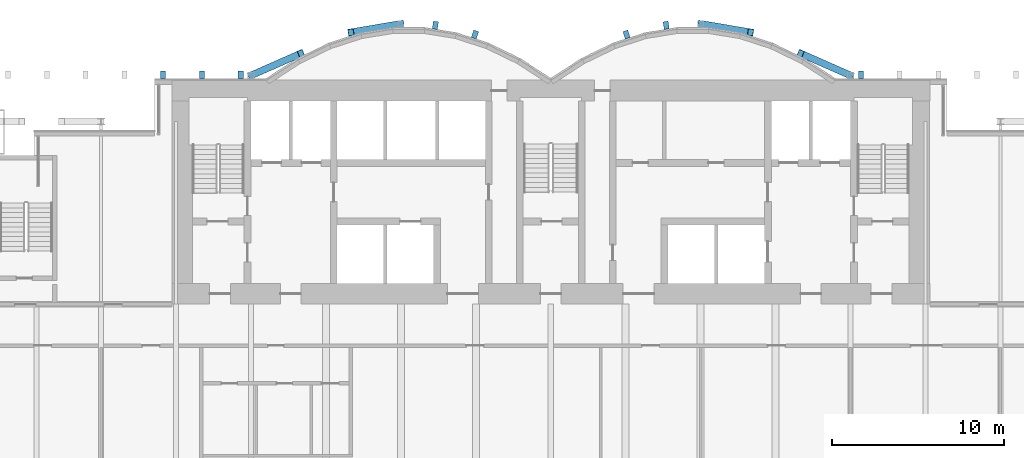
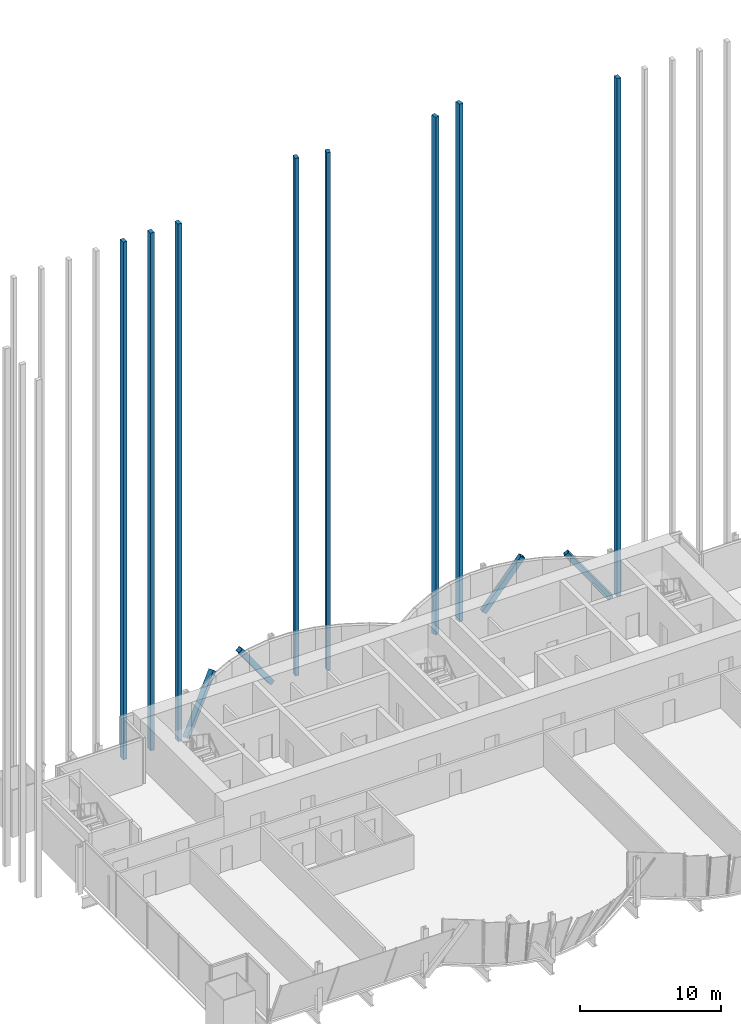
# One storey, part 19 of 33: 12 members, 6 elements without a shape of their own.
"""IFC4 building model written with IfcOpenShell, lengths in metres."""

from ifc_helpers import new_model, si_unit, direction, frame, origin, origin_2d, place, context, subcontext, project, spatial, rectangle, hollow_rectangle, extrude, material, material_profile, profile_set, type_object, element, aggregate, save


model = new_model("IFC4")

# Units and contexts
model_context = context("Model", 3, precision=1e-05, world=origin(), true_north=direction((0.0, 1.0)))
body_context = subcontext(model_context, "Body", "Model", "MODEL_VIEW")
ifc_project = project(units=[si_unit("LENGTHUNIT", "METRE"), si_unit("AREAUNIT", "SQUARE_METRE"), si_unit("VOLUMEUNIT", "CUBIC_METRE"), si_unit("PLANEANGLEUNIT", "RADIAN"), si_unit("MASSUNIT", "GRAM", prefix="KILO")], contexts=[model_context])

# Site, building, storey
site_placement = place(None, origin())
site = spatial("IfcSite", under=ifc_project, at=site_placement, CompositionType="ELEMENT")
building_placement = place(site_placement, origin())
building = spatial("IfcBuilding", under=site, at=building_placement, Name="Bicima Exchange Tower", CompositionType="ELEMENT")
storey_placement = place(building_placement, frame((0.0, 0.0, 140.39990234375)))
storey = spatial("IfcBuildingStorey", under=building, at=storey_placement, Name="L30", CompositionType="ELEMENT", Elevation=140.39990234375)

# Members
ifc_material_1 = material(Name="Steel ASTM A572 Gr 50", Category="steel")
ifc_material_profile_1 = material_profile(ifc_material_1, hollow_rectangle(XDim=0.406494140625, YDim=0.406494140625, WallThickness=0.017822265625, at=origin_2d()))
ifc_profile_set_1 = profile_set([ifc_material_profile_1], Name="Steel ASTM A572 Gr 50")
member_type_1 = type_object("IfcMemberType", Name="Mega brace HSS16x16x3/4", PredefinedType="BRACE", material=ifc_profile_set_1)
member_1_placement = place(storey_placement, frame((-17.39990234375, 0.278076171875, 0.0), z_axis=(0.559604503225, 0.246634919547, 0.79121047543), x_axis=(-0.403298774981, 0.915068357063, 0.0)))
element("IfcMember", 1, at=member_1_placement, inside=storey, type_object=member_type_1, Name="Mega brace rexo", PredefinedType="BRACE", context=body_context, shape_type="SweptSolid", body=[
    extrude(hollow_rectangle(XDim=0.406494140625, YDim=0.406494140625, WallThickness=0.017822265625, at=origin_2d()), origin(), (0.0, 0.0, 1.0), 5.18212890625),
])
for number, where, z_axis, x_axis, name in (
    (2, (-8.699951171875, 3.26904296875, 0.0), (-0.574791624013, -0.0962905406, 0.812614743132), (0.165220206918, -0.9862567025, 0.0), "Mega brace rexo"),
    (3, (8.699951171875, 3.26904296875, 0.0), (0.574791624013, -0.0962905406, 0.812614743132), (0.165220206918, 0.9862567025, 0.0), "Mega brace rexo"),
):
    element("IfcMember", number, at=place(storey_placement, frame(where, z_axis=z_axis, x_axis=x_axis)), inside=storey, type_object=member_type_1, Name=name, PredefinedType="BRACE", context=body_context, shape_type="SweptSolid", body=[
        extrude(hollow_rectangle(XDim=0.406494140625, YDim=0.406494140625, WallThickness=0.017822265625, at=origin_2d()), origin(), (0.0, 0.0, 1.0), 5.045654296875),
    ])
member_2_placement = place(storey_placement, frame((17.39990234375, 0.278076171875, 0.0), z_axis=(-0.559604503225, 0.246634919547, 0.79121047543), x_axis=(-0.403298774981, -0.915068357063, 0.0)))
element("IfcMember", 4, at=member_2_placement, inside=storey, type_object=member_type_1, Name="Mega brace rexo", PredefinedType="BRACE", context=body_context, shape_type="SweptSolid", body=[
    extrude(hollow_rectangle(XDim=0.406494140625, YDim=0.406494140625, WallThickness=0.017822265625, at=origin_2d()), origin(), (0.0, 0.0, 1.0), 5.18212890625),
])

# Curtain wall, members
ifc_material_2 = material(Name="Anodised bronze aluminium", Category="aluminium")
curtain_wall_type = type_object("IfcCurtainWallType", Name="Rear blade screen", PredefinedType="NOTDEFINED", material=ifc_material_2)
curtain_wall_1_placement = place(storey_placement, origin())
curtain_wall_1 = element("IfcCurtainWall", 5, at=curtain_wall_1_placement, inside=storey, type_object=curtain_wall_type, Name="Rear blade screen L30-L40 W", PredefinedType="NOTDEFINED")
ifc_material_profile_2 = material_profile(ifc_material_2, rectangle(XDim=0.449951171875, YDim=0.300048828125, at=origin_2d()))
ifc_profile_set_2 = profile_set([ifc_material_profile_2], Name="Anodised bronze aluminium")
member_type_2 = type_object("IfcMemberType", Name="Rear blade fin 450 x 300", PredefinedType="USERDEFINED", material=ifc_profile_set_2)
member_3_placement = place(storey_placement, frame((-22.5, 0.324951171875, 0.0), z_axis=(0.0, 0.0, 1.0), x_axis=(0.0, 1.0, 0.0)))
member_3 = element("IfcMember", 6, at=member_3_placement, type_object=member_type_2, Name="Rear blade fin L30-L40 6", ObjectType="FIN", PredefinedType="USERDEFINED", context=body_context, shape_type="SweptSolid", body=[
    extrude(rectangle(XDim=0.449951171875, YDim=0.300048828125, at=origin_2d()), origin(), (0.0, 0.0, 1.0), 44.900146484375),
])
member_4_placement = place(storey_placement, frame((-20.25, 0.324951171875, 0.0), z_axis=(0.0, 0.0, 1.0), x_axis=(0.0, 1.0, 0.0)))
member_4 = element("IfcMember", 7, at=member_4_placement, type_object=member_type_2, Name="Rear blade fin L30-L40 7", ObjectType="FIN", PredefinedType="USERDEFINED", context=body_context, shape_type="SweptSolid", body=[
    extrude(rectangle(XDim=0.449951171875, YDim=0.300048828125, at=origin_2d()), origin(), (0.0, 0.0, 1.0), 44.900146484375),
])
member_5_placement = place(storey_placement, frame((-18.0, 0.324951171875, 0.0), z_axis=(0.0, 0.0, 1.0), x_axis=(0.0, 1.0, 0.0)))
member_5 = element("IfcMember", 8, at=member_5_placement, type_object=member_type_2, Name="Rear blade fin L30-L40 8", ObjectType="FIN", PredefinedType="USERDEFINED", context=body_context, shape_type="SweptSolid", body=[
    extrude(rectangle(XDim=0.449951171875, YDim=0.300048828125, at=origin_2d()), origin(), (0.0, 0.0, 1.0), 44.900146484375),
])
aggregate(curtain_wall_1, [member_3, member_4, member_5])

# Curtain wall, member
curtain_wall_2_placement = place(storey_placement, origin())
curtain_wall_2 = element("IfcCurtainWall", 9, at=curtain_wall_2_placement, inside=storey, type_object=curtain_wall_type, Name="Rear blade screen L30-L40 bay", PredefinedType="NOTDEFINED")
member_6_placement = place(storey_placement, frame((-6.697998046875, 3.189697265625, 0.0), z_axis=(0.0, 0.0, 1.0), x_axis=(0.159548663212, 0.987190064814, 0.0)))
member_6 = element("IfcMember", 10, at=member_6_placement, type_object=member_type_2, Name="Rear blade fin L30-L40 9", ObjectType="FIN", PredefinedType="USERDEFINED", context=body_context, shape_type="SweptSolid", body=[
    extrude(rectangle(XDim=0.449951171875, YDim=0.300048828125, at=origin_2d()), origin(), (0.0, 0.0, 1.0), 44.900146484375),
])
aggregate(curtain_wall_2, [member_6])

curtain_wall_3_placement = place(storey_placement, origin())
curtain_wall_3 = element("IfcCurtainWall", 11, at=curtain_wall_3_placement, inside=storey, type_object=curtain_wall_type, Name="Rear blade screen L30-L40 bay", PredefinedType="NOTDEFINED")
member_7_placement = place(storey_placement, frame((-4.39990234375, 2.652587890625, 0.0), z_axis=(0.0, 0.0, 1.0), x_axis=(0.307567537632, 0.951526252814, 0.0)))
member_7 = element("IfcMember", 12, at=member_7_placement, type_object=member_type_2, Name="Rear blade fin L30-L40 10", ObjectType="FIN", PredefinedType="USERDEFINED", context=body_context, shape_type="SweptSolid", body=[
    extrude(rectangle(XDim=0.449951171875, YDim=0.300048828125, at=origin_2d()), origin(), (0.0, 0.0, 1.0), 44.900146484375),
])
aggregate(curtain_wall_3, [member_7])

curtain_wall_4_placement = place(storey_placement, origin())
curtain_wall_4 = element("IfcCurtainWall", 13, at=curtain_wall_4_placement, inside=storey, type_object=curtain_wall_type, Name="Rear blade screen L30-L40 bay", PredefinedType="NOTDEFINED")
member_8_placement = place(storey_placement, frame((4.39990234375, 2.652587890625, 0.0), z_axis=(0.0, 0.0, 1.0), x_axis=(-0.307567537632, 0.951526252814, 0.0)))
member_8 = element("IfcMember", 14, at=member_8_placement, type_object=member_type_2, Name="Rear blade fin L30-L40 11", ObjectType="FIN", PredefinedType="USERDEFINED", context=body_context, shape_type="SweptSolid", body=[
    extrude(rectangle(XDim=0.449951171875, YDim=0.300048828125, at=origin_2d()), origin(), (0.0, 0.0, 1.0), 44.900146484375),
])
aggregate(curtain_wall_4, [member_8])

curtain_wall_5_placement = place(storey_placement, origin())
curtain_wall_5 = element("IfcCurtainWall", 15, at=curtain_wall_5_placement, inside=storey, type_object=curtain_wall_type, Name="Rear blade screen L30-L40 bay", PredefinedType="NOTDEFINED")
member_9_placement = place(storey_placement, frame((6.697998046875, 3.189697265625, 0.0), z_axis=(0.0, 0.0, 1.0), x_axis=(-0.159548663212, 0.987190064814, 0.0)))
member_9 = element("IfcMember", 16, at=member_9_placement, type_object=member_type_2, Name="Rear blade fin L30-L40 12", ObjectType="FIN", PredefinedType="USERDEFINED", context=body_context, shape_type="SweptSolid", body=[
    extrude(rectangle(XDim=0.449951171875, YDim=0.300048828125, at=origin_2d()), origin(), (0.0, 0.0, 1.0), 44.900146484375),
])
aggregate(curtain_wall_5, [member_9])

curtain_wall_6_placement = place(storey_placement, origin())
curtain_wall_6 = element("IfcCurtainWall", 17, at=curtain_wall_6_placement, inside=storey, type_object=curtain_wall_type, Name="Rear blade screen L30-L40 E", PredefinedType="NOTDEFINED")
member_10_placement = place(storey_placement, frame((18.0, 0.324951171875, 0.0), z_axis=(0.0, 0.0, 1.0), x_axis=(0.0, 1.0, 0.0)))
member_10 = element("IfcMember", 18, at=member_10_placement, type_object=member_type_2, Name="Rear blade fin L30-L40 13", ObjectType="FIN", PredefinedType="USERDEFINED", context=body_context, shape_type="SweptSolid", body=[
    extrude(rectangle(XDim=0.449951171875, YDim=0.300048828125, at=origin_2d()), origin(), (0.0, 0.0, 1.0), 44.900146484375),
])
aggregate(curtain_wall_6, [member_10])

save(model, "model.ifc")
